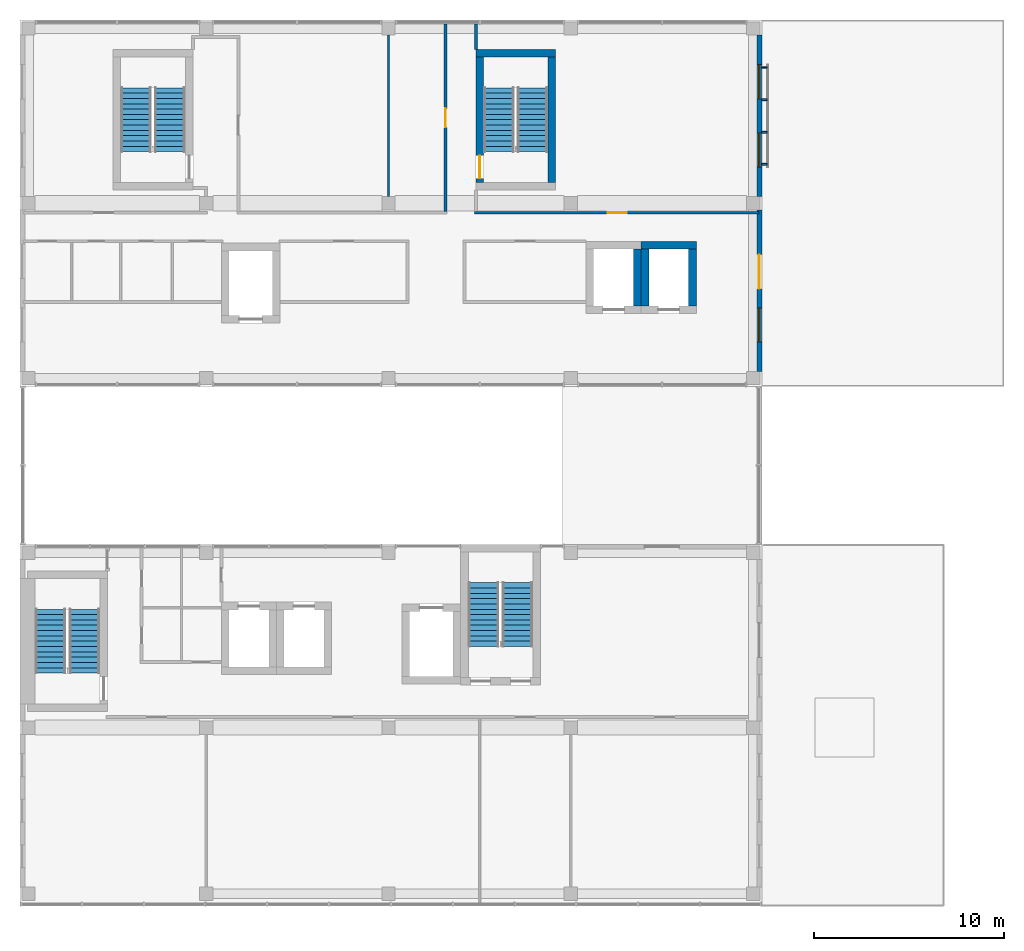
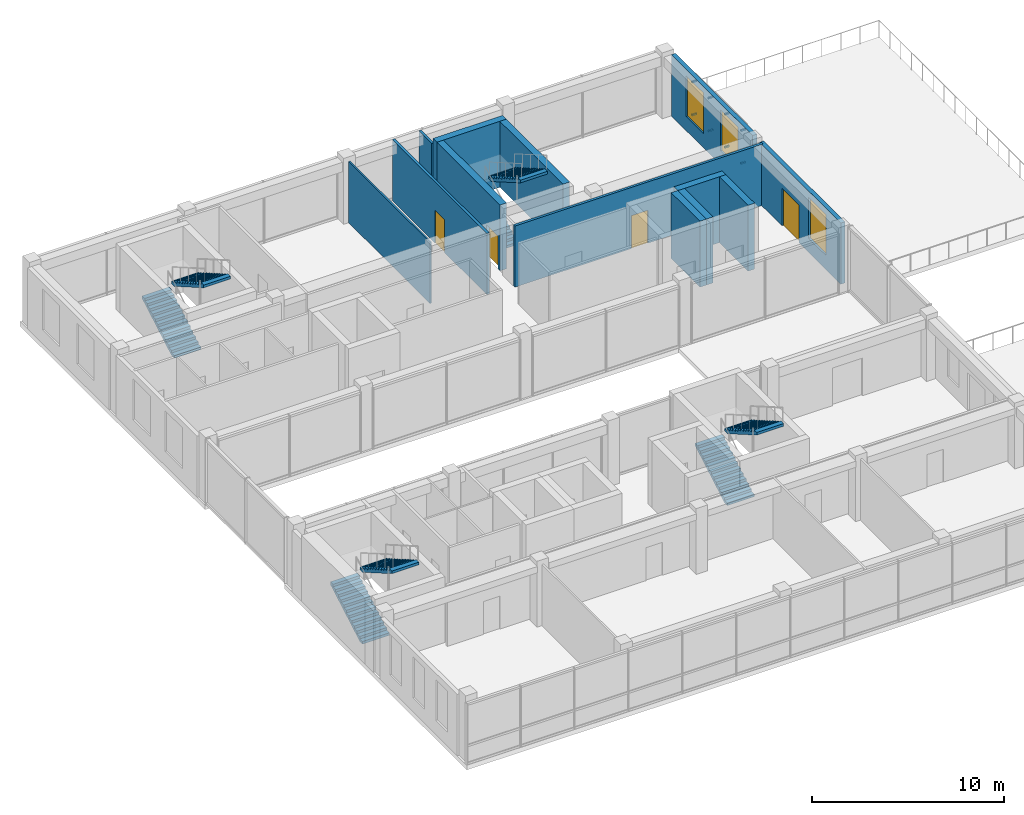
# One storey, part 21 of 27: 13 walls, 8 discrete accessories, 8 stair flights, 4 doors, 3 windows, 7 openings, 4 elements without a shape of their own.
"""IFC4 building model written with IfcOpenShell, lengths in metres."""

import ifcopenshell
import ifcopenshell.guid

model = None  # the IFC model being written
_history = None  # IfcOwnerHistory: only IFC2X3 demands one
_inside = {}  # id of a spatial element -> (the spatial element, [elements in it])
_under = {}  # id of a project, library or spatial element -> (it, [spatial elements below it])
_declared = {}  # id of a project -> (the project, [libraries it declares])
_typed = {}  # id of a type object -> (the type object, [elements of that type])
_made_of = {}  # id of a material, layer set ... -> (it, [elements and type objects made of it])


def new_model(schema):
    """Start an empty IFC model of exactly this schema.

    Asked for "IFC4X3", IfcOpenShell would pick the latest addendum, in which some entities
    have other attributes; the version numbers below select the first issue.
    IFC2X3 requires an IfcOwnerHistory on every rooted entity: one is made here for all.
    """
    global model, _history
    if schema == "IFC4X3":
        model = ifcopenshell.file(schema_version=(4, 3, 0, 0))
    else:
        model = ifcopenshell.file(schema=schema)
    _inside.clear()
    _under.clear()
    _declared.clear()
    _typed.clear()
    _made_of.clear()
    _history = None
    if model.schema == "IFC2X3":
        org = make("IfcOrganization", Name="unknown")
        user = make(
            "IfcPersonAndOrganization",
            ThePerson=make("IfcPerson", FamilyName="unknown"),
            TheOrganization=org,
        )
        app = make(
            "IfcApplication",
            ApplicationDeveloper=org,
            Version="unknown",
            ApplicationFullName="unknown",
            ApplicationIdentifier="unknown",
        )
        _history = make(
            "IfcOwnerHistory",
            OwningUser=user,
            OwningApplication=app,
            ChangeAction="ADDED",
            CreationDate=0,
        )
    return model


def make(cls, **values):
    """One entity of the class cls with the attributes given. An attribute that is None is left unset."""
    return model.create_entity(
        cls, **{name: value for name, value in values.items() if value is not None}
    )


def rooted(cls, **values):
    """An entity with a GlobalId (a new one), such as an element, a storey or a relation."""
    return make(cls, GlobalId=ifcopenshell.guid.new(), OwnerHistory=_history, **values)


def si_unit(unit_type, name, prefix=None):
    """IfcSIUnit, for example si_unit("LENGTHUNIT", "METRE", prefix="MILLI")."""
    return make("IfcSIUnit", UnitType=unit_type, Prefix=prefix, Name=name)


def assignment(units):
    """IfcUnitAssignment: the units of a project."""
    return None if units is None else make("IfcUnitAssignment", Units=units)


def point(xyz):
    """IfcCartesianPoint."""
    return None if xyz is None else make("IfcCartesianPoint", Coordinates=xyz)


def direction(xyz):
    """IfcDirection."""
    return None if xyz is None else make("IfcDirection", DirectionRatios=xyz)


def frame(location, z_axis=None, x_axis=None):
    """IfcAxis2Placement3D, a coordinate frame: its origin and axes. An axis left out is left unset."""
    return make(
        "IfcAxis2Placement3D",
        Location=point(location),
        Axis=direction(z_axis),
        RefDirection=direction(x_axis),
    )


def frame_2d(location, x_axis=None):
    """IfcAxis2Placement2D, a coordinate frame in the plane: its origin and x axis."""
    return make(
        "IfcAxis2Placement2D", Location=point(location), RefDirection=direction(x_axis)
    )


def origin():
    """The frame at (0, 0, 0) with its axes left unset."""
    return frame((0.0, 0.0, 0.0))


def origin_2d():
    """The frame at (0, 0) in the plane with its x axis left unset."""
    return frame_2d((0.0, 0.0))


def place(relative_to, where):
    """IfcLocalPlacement: puts the frame where relative to a parent placement (None: the world)."""
    return make(
        "IfcLocalPlacement", PlacementRelTo=relative_to, RelativePlacement=where
    )


def context(
    kind, dimensions, precision=None, world=None, true_north=None, identifier=None
):
    """IfcGeometricRepresentationContext, for example the 3D "Model" context."""
    return make(
        "IfcGeometricRepresentationContext",
        ContextIdentifier=identifier,
        ContextType=kind,
        CoordinateSpaceDimension=dimensions,
        Precision=precision,
        WorldCoordinateSystem=world,
        TrueNorth=true_north,
    )


def subcontext(parent, identifier, kind, view, scale=None):
    """IfcGeometricRepresentationSubContext, for example "Body" below "Model"."""
    return make(
        "IfcGeometricRepresentationSubContext",
        ContextIdentifier=identifier,
        ContextType=kind,
        ParentContext=parent,
        TargetScale=scale,
        TargetView=view,
    )


def project(units=None, contexts=None):
    """IfcProject with its units and contexts."""
    return rooted(
        "IfcProject",
        Name="project",
        RepresentationContexts=contexts,
        UnitsInContext=assignment(units),
    )


def spatial(cls, under=None, at=None, **own):
    """A site, building, storey or space (cls), placed at a placement, below another one or the project."""
    s = rooted(cls, ObjectPlacement=at, **own)
    if under is not None:
        _under.setdefault(under.id(), (under, []))[1].append(s)
    return s


def polyline(points):
    """IfcPolyline through the points."""
    return make("IfcPolyline", Points=[point(p) for p in points])


def profile(cls, at=None, kind="AREA", **sizes):
    """A parametric profile (cls). Its sizes go by their IFC names, for example OverallWidth=200.0."""
    return make(cls, ProfileType=kind, Position=at, **sizes)


def rectangle(**sizes):
    """IfcRectangleProfileDef."""
    return profile("IfcRectangleProfileDef", **sizes)


def outline(outer, holes=None, kind="AREA"):
    """IfcArbitraryClosedProfileDef: a profile drawn as a closed curve; with holes, ...WithVoids."""
    if holes is None:
        return make("IfcArbitraryClosedProfileDef", ProfileType=kind, OuterCurve=outer)
    return make(
        "IfcArbitraryProfileDefWithVoids",
        ProfileType=kind,
        OuterCurve=outer,
        InnerCurves=holes,
    )


def extrude(swept, where, along, depth):
    """IfcExtrudedAreaSolid: the profile swept, set in the frame where, extruded along a direction by depth."""
    return make(
        "IfcExtrudedAreaSolid",
        SweptArea=swept,
        Position=where,
        ExtrudedDirection=direction(along),
        Depth=depth,
    )


def shape(context_of_items, identifier, shape_type, items):
    """IfcShapeRepresentation: the items that make up one representation, for example the "Body"."""
    return make(
        "IfcShapeRepresentation",
        ContextOfItems=context_of_items,
        RepresentationIdentifier=identifier,
        RepresentationType=shape_type,
        Items=items,
    )


def material(Name=None, Category=None):
    """IfcMaterial."""
    return make("IfcMaterial", Name=Name, Category=Category)


def layer(
    of_material, thickness, ventilated=None, Name=None, Category=None, Priority=None
):
    """IfcMaterialLayer: one layer of a wall or slab, of a material (None: an air gap)."""
    return make(
        "IfcMaterialLayer",
        Material=of_material,
        LayerThickness=thickness,
        IsVentilated=ventilated,
        Name=Name,
        Category=Category,
        Priority=Priority,
    )


def layer_set(layers, Name=None):
    """IfcMaterialLayerSet."""
    return make("IfcMaterialLayerSet", MaterialLayers=layers, LayerSetName=Name)


def layer_usage(for_layer_set, set_direction, sense, offset, extent=None):
    """IfcMaterialLayerSetUsage: how a layer set lies in its element."""
    return make(
        "IfcMaterialLayerSetUsage",
        ForLayerSet=for_layer_set,
        LayerSetDirection=set_direction,
        DirectionSense=sense,
        OffsetFromReferenceLine=offset,
        ReferenceExtent=extent,
    )


def made_of(thing, what):
    """Note that an element or type object is made of a material, layer set ...; save() writes the relation."""
    if what is not None:
        _made_of.setdefault(what.id(), (what, []))[1].append(thing)
    return thing


def type_object(cls, material=None, **own):
    """A type object (cls), such as IfcWallType, which elements share."""
    return made_of(rooted(cls, **own), material)


def element(
    cls,
    number,
    at=None,
    inside=None,
    cuts=None,
    type_object=None,
    material=None,
    context=None,
    identifier="Body",
    shape_type=None,
    held_by="IfcProductDefinitionShape",
    body=None,
    shapes=None,
    **own,
):
    """One element of the class cls, such as IfcWall. Its Tag is "e" and its number.

    at: its placement. inside: the storey or other place that contains it. cuts: it is an
    opening in that element (IfcRelVoidsElement). A single representation is given by context,
    identifier, shape_type and body (its items); several are given by shapes. held_by: the class
    of the entity that holds the representations. save() writes the other relations.
    """
    e = rooted(cls, Tag="e%d" % number, ObjectPlacement=at, **own)
    if body is not None:
        shapes = [shape(context, identifier, shape_type, body)]
    if shapes is not None:
        e.Representation = make(held_by, Representations=shapes)
    if inside is not None:
        _inside.setdefault(inside.id(), (inside, []))[1].append(e)
    if cuts is not None:
        rooted(
            "IfcRelVoidsElement", RelatingBuildingElement=cuts, RelatedOpeningElement=e
        )
    if type_object is not None:
        _typed.setdefault(type_object.id(), (type_object, []))[1].append(e)
    return made_of(e, material)


def fill(opening, filler):
    """IfcRelFillsElement: the door or window that sits in an opening."""
    return rooted(
        "IfcRelFillsElement",
        RelatingOpeningElement=opening,
        RelatedBuildingElement=filler,
    )


def aggregate(whole, parts):
    """IfcRelAggregates: a whole, such as a stair, and the parts it consists of."""
    return rooted("IfcRelAggregates", RelatingObject=whole, RelatedObjects=parts)


def save(model, path):
    """Write the relations noted so far, then the file.

    IfcRelAggregates (storeys below a building ...), IfcRelContainedInSpatialStructure (elements
    in a storey), IfcRelDefinesByType, IfcRelAssociatesMaterial and IfcRelDeclares: one each for
    every whole, place, type object, material and project.
    """
    for whole, parts in _under.values():
        aggregate(whole, parts)
    for where, things in _inside.values():
        rooted(
            "IfcRelContainedInSpatialStructure",
            RelatedElements=things,
            RelatingStructure=where,
        )
    for kind, things in _typed.values():
        rooted("IfcRelDefinesByType", RelatedObjects=things, RelatingType=kind)
    for what, things in _made_of.values():
        rooted("IfcRelAssociatesMaterial", RelatedObjects=things, RelatingMaterial=what)
    for by, libraries in _declared.values():
        rooted("IfcRelDeclares", RelatingContext=by, RelatedDefinitions=libraries)
    model.write(path)


model = new_model("IFC4")

# Units and contexts
model_context = context("Model", 3, precision=1e-05, world=origin(), true_north=direction((0.0, 1.0)))
body_context = subcontext(model_context, "Body", "Model", "MODEL_VIEW")
ifc_project = project(units=[si_unit("LENGTHUNIT", "METRE"), si_unit("AREAUNIT", "SQUARE_METRE"), si_unit("VOLUMEUNIT", "CUBIC_METRE"), si_unit("PLANEANGLEUNIT", "RADIAN"), si_unit("MASSUNIT", "GRAM", prefix="KILO")], contexts=[model_context])

# Site, building, storey
site_placement = place(None, origin())
site = spatial("IfcSite", under=ifc_project, at=site_placement, CompositionType="ELEMENT")
building_placement = place(site_placement, origin())
building = spatial("IfcBuilding", under=site, at=building_placement, Name="Nzadi Deep Aquarium and Research Tower", CompositionType="ELEMENT")
storey_placement = place(building_placement, frame((0.0, 0.0, 69.699951171875)))
storey = spatial("IfcBuildingStorey", under=building, at=storey_placement, Name="L14", CompositionType="ELEMENT", Elevation=69.699951171875)

# Wall, openings, windows
ifc_material_1 = material(Name="Concrete C35/45", Category="concrete")
ifc_layer_1 = layer(ifc_material_1, 0.14990234375, Category="cladding")
ifc_material_2 = material(Name="Mineral wool insulation")
ifc_layer_2 = layer(ifc_material_2, 0.070068359375, Category="insulation")
ifc_material_3 = material(Name="Gypsum board lining")
ifc_layer_3 = layer(ifc_material_3, 0.030029296875, Category="lining")
ifc_layer_set_1 = layer_set([ifc_layer_1, ifc_layer_2, ifc_layer_3], Name="Concrete C35/45, Mineral wool insulation, Gypsum board lining")
ifc_layer_usage_1 = layer_usage(ifc_layer_set_1, "AXIS2", "POSITIVE", -0.125)
wall_type_1 = type_object("IfcWallType", Name="End wall board-formed concrete 250", PredefinedType="ELEMENTEDWALL", material=ifc_layer_set_1)
wall_1_placement = place(storey_placement, frame((38.72509765625, 37.14990234375, 0.0), z_axis=(0.0, 0.0, 1.0), x_axis=(0.0, 1.0, 0.0)))
wall_1 = element("IfcWall", 1, at=wall_1_placement, inside=storey, type_object=wall_type_1, material=ifc_layer_usage_1, Name="End wall blade B east L14", PredefinedType="ELEMENTEDWALL", context=body_context, shape_type="SweptSolid", body=[
    extrude(rectangle(XDim=8.5, YDim=0.25, at=frame_2d((4.25, 0.0))), origin(), (0.0, 0.0, 1.0), 3.900146484375),
])
opening_1_placement = place(wall_1_placement, frame((1.550048828125, 0.0, 0.89990234375)))
opening_1 = element("IfcOpeningElement", 2, at=opening_1_placement, cuts=wall_1, Name="Opening WN01", PredefinedType="OPENING", context=body_context, shape_type="SweptSolid", body=[
    extrude(rectangle(XDim=1.800048828125, YDim=2.60009765625, at=frame_2d((0.89990234375, 1.300048828125))), frame((0.0, 0.135009765625, 0.0), z_axis=(0.0, -1.0, 0.0), x_axis=(1.0, 0.0, 0.0)), (0.0, 0.0, 1.0), 0.27001953125),
])
opening_2_placement = place(wall_1_placement, frame((5.14990234375, 0.0, 0.89990234375)))
opening_2 = element("IfcOpeningElement", 3, at=opening_2_placement, cuts=wall_1, Name="Opening WN01", PredefinedType="OPENING", context=body_context, shape_type="SweptSolid", body=[
    extrude(rectangle(XDim=1.800048828125, YDim=2.60009765625, at=frame_2d((0.89990234375, 1.300048828125))), frame((0.0, 0.135009765625, 0.0), z_axis=(0.0, -1.0, 0.0), x_axis=(1.0, 0.0, 0.0)), (0.0, 0.0, 1.0), 0.27001953125),
])
ifc_material_4 = material(Name="Aluminium window, sage tint glazing", Category="aluminium")
window_type = type_object("IfcWindowType", Name="Slot window 1800x2600 sill 900", PartitioningType="SINGLE_PANEL", PredefinedType="WINDOW", material=ifc_material_4)
window_1_placement = place(opening_1_placement, origin())
window_1 = element("IfcWindow", 4, at=window_1_placement, inside=storey, type_object=window_type, Name="Slot window L14 BE", OverallHeight=2.60009765625, OverallWidth=1.800048828125, PartitioningType="SINGLE_PANEL", PredefinedType="WINDOW", context=body_context, shape_type="SweptSolid", body=[
    extrude(rectangle(XDim=1.800048828125, YDim=2.60009765625, at=frame_2d((0.89990234375, 1.300048828125))), frame((0.0, 0.030029296875, 0.0), z_axis=(0.0, -1.0, 0.0), x_axis=(1.0, 0.0, 0.0)), (0.0, 0.0, 1.0), 0.06005859375),
])
fill(opening_1, window_1)
window_2_placement = place(opening_2_placement, origin())
window_2 = element("IfcWindow", 5, at=window_2_placement, inside=storey, type_object=window_type, Name="Slot window L14 BE", OverallHeight=2.60009765625, OverallWidth=1.800048828125, PartitioningType="SINGLE_PANEL", PredefinedType="WINDOW", context=body_context, shape_type="SweptSolid", body=[
    extrude(rectangle(XDim=1.800048828125, YDim=2.60009765625, at=frame_2d((0.89990234375, 1.300048828125))), frame((0.0, 0.030029296875, 0.0), z_axis=(0.0, -1.0, 0.0), x_axis=(1.0, 0.0, 0.0)), (0.0, 0.0, 1.0), 0.06005859375),
])
fill(opening_2, window_2)

# Wall, openings, window, door
ifc_material_5 = material(Name="Graphite aluminium shingle", Category="aluminium")
ifc_layer_4 = layer(ifc_material_5, 0.050048828125, Category="cladding")
ifc_layer_5 = layer(ifc_material_1, 0.10009765625, Category="cladding")
ifc_layer_6 = layer(ifc_material_2, 0.070068359375, Category="insulation")
ifc_layer_7 = layer(ifc_material_3, 0.030029296875, Category="lining")
ifc_layer_set_2 = layer_set([ifc_layer_4, ifc_layer_5, ifc_layer_6, ifc_layer_7], Name="Graphite aluminium shingle, Concrete C35/45, Mineral wool insulation, Gypsum board lining")
ifc_layer_usage_2 = layer_usage(ifc_layer_set_2, "AXIS2", "POSITIVE", -0.125)
wall_type_2 = type_object("IfcWallType", Name="End wall shingle over board-formed concrete 250", PredefinedType="ELEMENTEDWALL", material=ifc_layer_set_2)
wall_2_placement = place(storey_placement, frame((38.72509765625, 27.949951171875, 0.0), z_axis=(0.0, 0.0, 1.0), x_axis=(0.0, 1.0, 0.0)))
wall_2 = element("IfcWall", 6, at=wall_2_placement, inside=storey, type_object=wall_type_2, material=ifc_layer_usage_2, Name="End wall blade B east L14", PredefinedType="ELEMENTEDWALL", context=body_context, shape_type="SweptSolid", body=[
    extrude(rectangle(XDim=8.5, YDim=0.25, at=frame_2d((4.25, 0.0))), origin(), (0.0, 0.0, 1.0), 3.900146484375),
])
opening_3_placement = place(wall_2_placement, frame((4.35009765625, 0.0, 0.0)))
opening_3 = element("IfcOpeningElement", 7, at=opening_3_placement, cuts=wall_2, Name="Opening DE006", PredefinedType="OPENING", context=body_context, shape_type="SweptSolid", body=[
    extrude(rectangle(XDim=1.800048828125, YDim=2.39990234375, at=frame_2d((0.89990234375, 1.199951171875))), frame((0.0, 0.135009765625, 0.0), z_axis=(0.0, -1.0, 0.0), x_axis=(1.0, 0.0, 0.0)), (0.0, 0.0, 1.0), 0.27001953125),
])
opening_4_placement = place(wall_2_placement, frame((1.550048828125, 0.0, 0.89990234375)))
opening_4 = element("IfcOpeningElement", 8, at=opening_4_placement, cuts=wall_2, Name="Opening WN01", PredefinedType="OPENING", context=body_context, shape_type="SweptSolid", body=[
    extrude(rectangle(XDim=1.800048828125, YDim=2.60009765625, at=frame_2d((0.89990234375, 1.300048828125))), frame((0.0, 0.135009765625, 0.0), z_axis=(0.0, -1.0, 0.0), x_axis=(1.0, 0.0, 0.0)), (0.0, 0.0, 1.0), 0.27001953125),
])
window_3_placement = place(opening_4_placement, origin())
window_3 = element("IfcWindow", 9, at=window_3_placement, inside=storey, type_object=window_type, Name="Slot window L14 BE", OverallHeight=2.60009765625, OverallWidth=1.800048828125, PartitioningType="SINGLE_PANEL", PredefinedType="WINDOW", context=body_context, shape_type="SweptSolid", body=[
    extrude(rectangle(XDim=1.800048828125, YDim=2.60009765625, at=frame_2d((0.89990234375, 1.300048828125))), frame((0.0, 0.030029296875, 0.0), z_axis=(0.0, -1.0, 0.0), x_axis=(1.0, 0.0, 0.0)), (0.0, 0.0, 1.0), 0.06005859375),
])
fill(opening_4, window_3)
ifc_material_6 = material(Name="Aluminium framed glazing", Category="aluminium")
door_type_1 = type_object("IfcDoorType", Name="Terrace double door 1800x2400", OperationType="DOUBLE_DOOR_SINGLE_SWING", PredefinedType="DOOR", material=ifc_material_6)
door_1_placement = place(opening_3_placement, frame((1.800048828125, 0.0, 0.0), z_axis=(0.0, 0.0, 1.0), x_axis=(-1.0, 0.0, 0.0)))
door_1 = element("IfcDoor", 10, at=door_1_placement, inside=storey, type_object=door_type_1, Name="Terrace door L14", OperationType="DOUBLE_DOOR_SINGLE_SWING", OverallHeight=2.39990234375, OverallWidth=1.800048828125, PredefinedType="DOOR", context=body_context, shape_type="SweptSolid", body=[
    extrude(rectangle(XDim=1.800048828125, YDim=2.39990234375, at=frame_2d((0.89990234375, 1.199951171875))), frame((0.0, 0.02490234375, 0.0), z_axis=(0.0, -1.0, 0.0), x_axis=(1.0, 0.0, 0.0)), (0.0, 0.0, 1.0), 0.050048828125),
])
fill(opening_3, door_1)

# Wall
ifc_material_7 = material(Name="Blockwork masonry", Category="masonry")
ifc_layer_8 = layer(ifc_material_7, 0.10009765625)
ifc_layer_set_3 = layer_set([ifc_layer_8], Name="Blockwork masonry")
wall_type_3 = type_object("IfcWallType", Name="Partition 100 EI 30", PredefinedType="PARTITIONING", material=ifc_layer_set_3)
wall_3_placement = place(storey_placement, frame((19.199951171875, 37.14990234375, 0.0), z_axis=(0.0, 0.0, 1.0), x_axis=(0.0, 1.0, 0.0)))
element("IfcWall", 11, at=wall_3_placement, inside=storey, type_object=wall_type_3, Name="W-Z1-L14-P024", PredefinedType="PARTITIONING", context=body_context, shape_type="SweptSolid", body=[
    extrude(rectangle(XDim=8.5, YDim=0.10009765625, at=frame_2d((4.25, 0.0))), origin(), (0.0, 0.0, 1.0), 3.900146484375),
])

# Wall, opening, door
ifc_material_8 = material(Name="Blockwork masonry", Category="masonry")
ifc_layer_9 = layer(ifc_material_8, 0.14990234375)
ifc_layer_set_4 = layer_set([ifc_layer_9], Name="Blockwork masonry")
wall_type_4 = type_object("IfcWallType", Name="Partition 150 EI 60", PredefinedType="PARTITIONING", material=ifc_layer_set_4)
wall_4_placement = place(storey_placement, frame((22.199951171875, 36.375, 0.0), z_axis=(0.0, 0.0, 1.0), x_axis=(0.0, 1.0, 0.0)))
wall_4 = element("IfcWall", 12, at=wall_4_placement, inside=storey, type_object=wall_type_4, Name="W-Z1-L14-P026", PredefinedType="PARTITIONING", context=body_context, shape_type="SweptSolid", body=[
    extrude(rectangle(XDim=9.868896484375, YDim=0.14990234375, at=frame_2d((4.9345703125, 0.0))), origin(), (0.0, 0.0, 1.0), 3.900146484375),
])
opening_5_placement = place(wall_4_placement, frame((4.425048828125, 0.0, 0.0)))
opening_5 = element("IfcOpeningElement", 13, at=opening_5_placement, cuts=wall_4, Name="Opening D151018", PredefinedType="OPENING", context=body_context, shape_type="SweptSolid", body=[
    extrude(rectangle(XDim=1.0, YDim=2.10009765625, at=frame_2d((0.5, 1.050048828125))), frame((0.0, 0.0849609375, 0.0), z_axis=(0.0, -1.0, 0.0), x_axis=(1.0, 0.0, 0.0)), (0.0, 0.0, 1.0), 0.169921875),
])
ifc_material_9 = material(Name="Fire-rated steel door", Category="steel")
ifc_layer_10 = layer(ifc_material_9, 0.050048828125)
ifc_layer_set_5 = layer_set([ifc_layer_10], Name="Fire-rated steel door")
door_type_2 = type_object("IfcDoorType", Name="Door 1000x2100 EI 60 single", OperationType="SINGLE_SWING_LEFT", PredefinedType="DOOR", material=ifc_layer_set_5)
door_2_placement = place(opening_5_placement, origin())
door_2 = element("IfcDoor", 14, at=door_2_placement, inside=storey, type_object=door_type_2, Name="D151018", OperationType="SINGLE_SWING_RIGHT", OverallHeight=2.10009765625, OverallWidth=1.0, PredefinedType="DOOR", context=body_context, shape_type="SweptSolid", body=[
    extrude(rectangle(XDim=1.0, YDim=2.10009765625, at=frame_2d((0.5, 1.050048828125))), frame((0.0, 0.02490234375, 0.0), z_axis=(0.0, -1.0, 0.0), x_axis=(1.0, 0.0, 0.0)), (0.0, 0.0, 1.0), 0.050048828125),
])
fill(opening_5, door_2)

wall_5_placement = place(storey_placement, frame((23.72509765625, 36.300048828125, 0.0), z_axis=(0.0, 0.0, 1.0), x_axis=(1.0, 0.0, 0.0)))
wall_5 = element("IfcWall", 15, at=wall_5_placement, inside=storey, type_object=wall_type_4, Name="W-Z1-L14-P030", PredefinedType="PARTITIONING", context=body_context, shape_type="SweptSolid", body=[
    extrude(rectangle(XDim=14.968994140625, YDim=0.14990234375, at=frame_2d((7.484375, 0.0))), origin(), (0.0, 0.0, 1.0), 3.900146484375),
])
opening_6_placement = place(wall_5_placement, frame((7.02490234375, 0.0, 0.0)))
opening_6 = element("IfcOpeningElement", 16, at=opening_6_placement, cuts=wall_5, Name="Opening D151019", PredefinedType="OPENING", context=body_context, shape_type="SweptSolid", body=[
    extrude(rectangle(XDim=1.0, YDim=2.10009765625, at=frame_2d((0.5, 1.050048828125))), frame((0.0, 0.0849609375, 0.0), z_axis=(0.0, -1.0, 0.0), x_axis=(1.0, 0.0, 0.0)), (0.0, 0.0, 1.0), 0.169921875),
])
door_3_placement = place(opening_6_placement, origin())
door_3 = element("IfcDoor", 17, at=door_3_placement, inside=storey, type_object=door_type_2, Name="D151019", OperationType="SINGLE_SWING_RIGHT", OverallHeight=2.10009765625, OverallWidth=1.0, PredefinedType="DOOR", context=body_context, shape_type="SweptSolid", body=[
    extrude(rectangle(XDim=1.0, YDim=2.10009765625, at=frame_2d((0.5, 1.050048828125))), frame((0.0, 0.02490234375, 0.0), z_axis=(0.0, -1.0, 0.0), x_axis=(1.0, 0.0, 0.0)), (0.0, 0.0, 1.0), 0.050048828125),
])
fill(opening_6, door_3)

# Walls
wall_6_placement = place(storey_placement, frame((23.800048828125, 44.906005859375, 0.0), z_axis=(0.0, 0.0, 1.0), x_axis=(0.0, 1.0, 0.0)))
element("IfcWall", 18, at=wall_6_placement, inside=storey, type_object=wall_type_4, Name="W-Z1-L14-P032", PredefinedType="PARTITIONING", context=body_context, shape_type="SweptSolid", body=[
    extrude(rectangle(XDim=1.337890625, YDim=0.14990234375, at=frame_2d((0.6689453125, 0.0))), origin(), (0.0, 0.0, 1.0), 3.900146484375),
])
ifc_material_10 = material(Name="Concrete C35/45", Category="concrete")
ifc_layer_11 = layer(ifc_material_10, 0.39990234375)
ifc_layer_set_6 = layer_set([ifc_layer_11], Name="Concrete C35/45")
wall_type_5 = type_object("IfcWallType", Name="RC core wall 400", PredefinedType="SHEAR", material=ifc_layer_set_6)
wall_7_placement = place(storey_placement, frame((23.800048828125, 44.699951171875, 0.0), z_axis=(0.0, 0.0, 1.0), x_axis=(1.0, 0.0, 0.0)))
element("IfcWall", 19, at=wall_7_placement, inside=storey, type_object=wall_type_5, Name="W-CORE-ST-Z1-NE-L14-N", PredefinedType="SHEAR", context=body_context, shape_type="SweptSolid", body=[
    extrude(rectangle(XDim=4.199951171875, YDim=0.39990234375, at=frame_2d((2.10009765625, 0.0))), origin(), (0.0, 0.0, 1.0), 4.199951171875),
])

# Wall, opening, door
wall_8_placement = place(storey_placement, frame((24.0, 37.89990234375, 0.0), z_axis=(0.0, 0.0, 1.0), x_axis=(0.0, 1.0, 0.0)))
wall_8 = element("IfcWall", 20, at=wall_8_placement, inside=storey, type_object=wall_type_5, Name="W-CORE-ST-Z1-NE-L14-W", PredefinedType="SHEAR", context=body_context, shape_type="SweptSolid", body=[
    extrude(rectangle(XDim=6.60009765625, YDim=0.39990234375, at=frame_2d((3.300048828125, 0.0))), origin(), (0.0, 0.0, 1.0), 4.199951171875),
])
opening_7_placement = place(wall_8_placement, frame((0.2099609375, 0.0, 0.0)))
opening_7 = element("IfcOpeningElement", 21, at=opening_7_placement, cuts=wall_8, Name="Opening DS-Z1-NE-L14", PredefinedType="OPENING", context=body_context, shape_type="SweptSolid", body=[
    extrude(rectangle(XDim=1.199951171875, YDim=2.10009765625, at=frame_2d((0.60009765625, 1.050048828125))), frame((0.0, 0.2099609375, 0.0), z_axis=(0.0, -1.0, 0.0), x_axis=(1.0, 0.0, 0.0)), (0.0, 0.0, 1.0), 0.419921875),
])
ifc_material_11 = material(Name="Steel, powder coated", Category="steel")
door_type_3 = type_object("IfcDoorType", Name="STAIR DOOR 1200x2100 EI 60", OperationType="SINGLE_SWING_LEFT", PredefinedType="DOOR", material=ifc_material_11)
door_4_placement = place(opening_7_placement, origin())
door_4 = element("IfcDoor", 22, at=door_4_placement, inside=storey, type_object=door_type_3, Name="Stair door ST-Z1-NE L14", OperationType="SINGLE_SWING_LEFT", OverallHeight=2.10009765625, OverallWidth=1.199951171875, PredefinedType="DOOR", context=body_context, shape_type="SweptSolid", body=[
    extrude(rectangle(XDim=1.199951171875, YDim=2.10009765625, at=frame_2d((0.60009765625, 1.050048828125))), frame((0.0, 0.02490234375, 0.0), z_axis=(0.0, -1.0, 0.0), x_axis=(1.0, 0.0, 0.0)), (0.0, 0.0, 1.0), 0.050048828125),
])
fill(opening_7, door_4)

# Walls
wall_9_placement = place(storey_placement, frame((27.800048828125, 37.89990234375, 0.0), z_axis=(0.0, 0.0, 1.0), x_axis=(0.0, 1.0, 0.0)))
element("IfcWall", 23, at=wall_9_placement, inside=storey, type_object=wall_type_5, Name="W-CORE-ST-Z1-NE-L14-E", PredefinedType="SHEAR", context=body_context, shape_type="SweptSolid", body=[
    extrude(rectangle(XDim=6.60009765625, YDim=0.39990234375, at=frame_2d((3.300048828125, 0.0))), origin(), (0.0, 0.0, 1.0), 4.199951171875),
])
wall_10_placement = place(storey_placement, frame((32.300048828125, 31.39990234375, 0.0), z_axis=(0.0, 0.0, 1.0), x_axis=(0.0, 1.0, 0.0)))
element("IfcWall", 24, at=wall_10_placement, inside=storey, type_object=wall_type_5, Name="W-CORE-TL3-L14-E", PredefinedType="SHEAR", context=body_context, shape_type="SweptSolid", body=[
    extrude(rectangle(XDim=3.0, YDim=0.39990234375, at=frame_2d((1.5, 0.0))), origin(), (0.0, 0.0, 1.0), 4.199951171875),
])
wall_11_placement = place(storey_placement, frame((32.5, 34.60009765625, 0.0), z_axis=(0.0, 0.0, 1.0), x_axis=(1.0, 0.0, 0.0)))
element("IfcWall", 25, at=wall_11_placement, inside=storey, type_object=wall_type_5, Name="W-CORE-TL4-L14-N", PredefinedType="SHEAR", context=body_context, shape_type="SweptSolid", body=[
    extrude(rectangle(XDim=2.89990234375, YDim=0.39990234375, at=frame_2d((1.449951171875, 0.0))), origin(), (0.0, 0.0, 1.0), 4.199951171875),
])
for number, where, z_axis, x_axis, name in (
    (26, (32.699951171875, 31.39990234375, 0.0), (0.0, 0.0, 1.0), (0.0, 1.0, 0.0), "W-CORE-TL4-L14-W"),
    (27, (35.199951171875, 31.39990234375, 0.0), (0.0, 0.0, 1.0), (0.0, 1.0, 0.0), "W-CORE-TL4-L14-E"),
):
    element("IfcWall", number, at=place(storey_placement, frame(where, z_axis=z_axis, x_axis=x_axis)), inside=storey, type_object=wall_type_5, Name=name, PredefinedType="SHEAR", context=body_context, shape_type="SweptSolid", body=[
        extrude(rectangle(XDim=3.0, YDim=0.39990234375, at=frame_2d((1.5, 0.0))), origin(), (0.0, 0.0, 1.0), 4.199951171875),
    ])

# Stair, stair flights
ifc_material_12 = material(Name="Concrete C35/45", Category="concrete")
stair_type = type_object("IfcStairType", Name="STAIR RETURN 3000", PredefinedType="NOTDEFINED", material=ifc_material_12)
stair_1_placement = place(storey_placement, origin())
stair_1 = element("IfcStair", 28, at=stair_1_placement, inside=storey, type_object=stair_type, Name="Stair ST-Z1-SW L14", PredefinedType="HALF_TURN_STAIR")
ifc_material_13 = material(Name="Concrete C35/45", Category="concrete")
stair_flight_type = type_object("IfcStairFlightType", Name="FLIGHT 1625 13 RISERS 161.5 GOING 280", PredefinedType="STRAIGHT", material=ifc_material_13)
stair_flight_1_placement = place(storey_placement, frame((1.41259765625, 12.070068359375, 0.0), z_axis=(0.0, 0.0, 1.0), x_axis=(0.0, 1.0, 0.0)))
stair_flight_1 = element("IfcStairFlight", 29, at=stair_flight_1_placement, type_object=stair_flight_type, Name="ST-Z1-SW flight 1", NumberOfRisers=13, NumberOfTreads=12, PredefinedType="STRAIGHT", RiserHeight=0.161538462, TreadLength=0.28, context=body_context, shape_type="SweptSolid", body=[
    extrude(outline(polyline([(0.0, 0.0), (0.0, 0.16162109375), (0.280029296875, 0.16162109375), (0.280029296875, 0.322998046875), (0.56005859375, 0.322998046875), (0.56005859375, 0.484619140625), (0.840087890625, 0.484619140625), (0.840087890625, 0.646240234375), (1.1201171875, 0.646240234375), (1.1201171875, 0.8076171875), (1.39990234375, 0.8076171875), (1.39990234375, 0.96923828125), (1.679931640625, 0.96923828125), (1.679931640625, 1.130859375), (1.9599609375, 1.130859375), (1.9599609375, 1.292236328125), (2.239990234375, 1.292236328125), (2.239990234375, 1.453857421875), (2.52001953125, 1.453857421875), (2.52001953125, 1.615478515625), (2.800048828125, 1.615478515625), (2.800048828125, 1.77685546875), (3.080078125, 1.77685546875), (3.080078125, 1.9384765625), (3.360107421875, 1.9384765625), (3.360107421875, 2.10009765625), (3.360107421875, 1.765380859375), (0.300048828125, 0.0), (0.0, 0.0)])), frame((0.0, 0.8125, 0.0), z_axis=(0.0, -1.0, 0.0), x_axis=(1.0, 0.0, 0.0)), (0.0, 0.0, 1.0), 1.625),
])
stair_flight_2_placement = place(storey_placement, frame((3.1875, 15.429931640625, 2.10009765625), z_axis=(0.0, 0.0, 1.0), x_axis=(0.0, -1.0, 0.0)))
stair_flight_2 = element("IfcStairFlight", 30, at=stair_flight_2_placement, type_object=stair_flight_type, Name="ST-Z1-SW flight 2", NumberOfRisers=13, NumberOfTreads=12, PredefinedType="STRAIGHT", RiserHeight=0.161538462, TreadLength=0.28, context=body_context, shape_type="SweptSolid", body=[
    extrude(outline(polyline([(0.0, 0.0), (0.0, 0.16162109375), (0.280029296875, 0.16162109375), (0.280029296875, 0.322998046875), (0.56005859375, 0.322998046875), (0.56005859375, 0.484619140625), (0.840087890625, 0.484619140625), (0.840087890625, 0.646240234375), (1.1201171875, 0.646240234375), (1.1201171875, 0.8076171875), (1.39990234375, 0.8076171875), (1.39990234375, 0.96923828125), (1.679931640625, 0.96923828125), (1.679931640625, 1.130859375), (1.9599609375, 1.130859375), (1.9599609375, 1.292236328125), (2.239990234375, 1.292236328125), (2.239990234375, 1.453857421875), (2.52001953125, 1.453857421875), (2.52001953125, 1.615478515625), (2.800048828125, 1.615478515625), (2.800048828125, 1.77685546875), (3.080078125, 1.77685546875), (3.080078125, 1.9384765625), (3.360107421875, 1.9384765625), (3.360107421875, 2.10009765625), (3.360107421875, 1.765380859375), (0.300048828125, 0.0), (0.0, 0.0)])), frame((0.0, 0.8125, 0.0), z_axis=(0.0, -1.0, 0.0), x_axis=(1.0, 0.0, 0.0)), (0.0, 0.0, 1.0), 1.625),
])
aggregate(stair_1, [stair_flight_1, stair_flight_2])

stair_2_placement = place(storey_placement, origin())
stair_2 = element("IfcStair", 31, at=stair_2_placement, inside=storey, type_object=stair_type, Name="Stair ST-Z1-SE L14", PredefinedType="HALF_TURN_STAIR")
stair_flight_3_placement = place(storey_placement, frame((24.21240234375, 13.469970703125, 0.0), z_axis=(0.0, 0.0, 1.0), x_axis=(0.0, 1.0, 0.0)))
stair_flight_3 = element("IfcStairFlight", 32, at=stair_flight_3_placement, type_object=stair_flight_type, Name="ST-Z1-SE flight 1", NumberOfRisers=13, NumberOfTreads=12, PredefinedType="STRAIGHT", RiserHeight=0.161538462, TreadLength=0.28, context=body_context, shape_type="SweptSolid", body=[
    extrude(outline(polyline([(0.0, 0.0), (0.0, 0.16162109375), (0.280029296875, 0.16162109375), (0.280029296875, 0.322998046875), (0.56005859375, 0.322998046875), (0.56005859375, 0.484619140625), (0.840087890625, 0.484619140625), (0.840087890625, 0.646240234375), (1.1201171875, 0.646240234375), (1.1201171875, 0.8076171875), (1.39990234375, 0.8076171875), (1.39990234375, 0.96923828125), (1.679931640625, 0.96923828125), (1.679931640625, 1.130859375), (1.9599609375, 1.130859375), (1.9599609375, 1.292236328125), (2.239990234375, 1.292236328125), (2.239990234375, 1.453857421875), (2.52001953125, 1.453857421875), (2.52001953125, 1.615478515625), (2.800048828125, 1.615478515625), (2.800048828125, 1.77685546875), (3.080078125, 1.77685546875), (3.080078125, 1.9384765625), (3.360107421875, 1.9384765625), (3.360107421875, 2.10009765625), (3.360107421875, 1.765380859375), (0.300048828125, 0.0), (0.0, 0.0)])), frame((0.0, 0.8125, 0.0), z_axis=(0.0, -1.0, 0.0), x_axis=(1.0, 0.0, 0.0)), (0.0, 0.0, 1.0), 1.625),
])
stair_flight_4_placement = place(storey_placement, frame((25.987548828125, 16.830078125, 2.10009765625), z_axis=(0.0, 0.0, 1.0), x_axis=(0.0, -1.0, 0.0)))
stair_flight_4 = element("IfcStairFlight", 33, at=stair_flight_4_placement, type_object=stair_flight_type, Name="ST-Z1-SE flight 2", NumberOfRisers=13, NumberOfTreads=12, PredefinedType="STRAIGHT", RiserHeight=0.161538462, TreadLength=0.28, context=body_context, shape_type="SweptSolid", body=[
    extrude(outline(polyline([(0.0, 0.0), (0.0, 0.16162109375), (0.280029296875, 0.16162109375), (0.280029296875, 0.322998046875), (0.56005859375, 0.322998046875), (0.56005859375, 0.484619140625), (0.840087890625, 0.484619140625), (0.840087890625, 0.646240234375), (1.1201171875, 0.646240234375), (1.1201171875, 0.8076171875), (1.39990234375, 0.8076171875), (1.39990234375, 0.96923828125), (1.679931640625, 0.96923828125), (1.679931640625, 1.130859375), (1.9599609375, 1.130859375), (1.9599609375, 1.292236328125), (2.239990234375, 1.292236328125), (2.239990234375, 1.453857421875), (2.52001953125, 1.453857421875), (2.52001953125, 1.615478515625), (2.800048828125, 1.615478515625), (2.800048828125, 1.77685546875), (3.080078125, 1.77685546875), (3.080078125, 1.9384765625), (3.360107421875, 1.9384765625), (3.360107421875, 2.10009765625), (3.360107421875, 1.765380859375), (0.300048828125, 0.0), (0.0, 0.0)])), frame((0.0, 0.8125, 0.0), z_axis=(0.0, -1.0, 0.0), x_axis=(1.0, 0.0, 0.0)), (0.0, 0.0, 1.0), 1.625),
])
aggregate(stair_2, [stair_flight_3, stair_flight_4])

stair_3_placement = place(storey_placement, origin())
stair_3 = element("IfcStair", 34, at=stair_3_placement, inside=storey, type_object=stair_type, Name="Stair ST-Z1-NW L14", PredefinedType="HALF_TURN_STAIR")
stair_flight_5_placement = place(storey_placement, frame((5.91259765625, 39.52001953125, 0.0), z_axis=(0.0, 0.0, 1.0), x_axis=(0.0, 1.0, 0.0)))
stair_flight_5 = element("IfcStairFlight", 35, at=stair_flight_5_placement, type_object=stair_flight_type, Name="ST-Z1-NW flight 1", NumberOfRisers=13, NumberOfTreads=12, PredefinedType="STRAIGHT", RiserHeight=0.161538462, TreadLength=0.28, context=body_context, shape_type="SweptSolid", body=[
    extrude(outline(polyline([(0.0, 0.0), (0.0, 0.16162109375), (0.280029296875, 0.16162109375), (0.280029296875, 0.322998046875), (0.56005859375, 0.322998046875), (0.56005859375, 0.484619140625), (0.840087890625, 0.484619140625), (0.840087890625, 0.646240234375), (1.1201171875, 0.646240234375), (1.1201171875, 0.8076171875), (1.39990234375, 0.8076171875), (1.39990234375, 0.96923828125), (1.679931640625, 0.96923828125), (1.679931640625, 1.130859375), (1.9599609375, 1.130859375), (1.9599609375, 1.292236328125), (2.239990234375, 1.292236328125), (2.239990234375, 1.453857421875), (2.52001953125, 1.453857421875), (2.52001953125, 1.615478515625), (2.800048828125, 1.615478515625), (2.800048828125, 1.77685546875), (3.080078125, 1.77685546875), (3.080078125, 1.9384765625), (3.360107421875, 1.9384765625), (3.360107421875, 2.10009765625), (3.360107421875, 1.765380859375), (0.300048828125, 0.0), (0.0, 0.0)])), frame((0.0, 0.8125, 0.0), z_axis=(0.0, -1.0, 0.0), x_axis=(1.0, 0.0, 0.0)), (0.0, 0.0, 1.0), 1.625),
])
stair_flight_6_placement = place(storey_placement, frame((7.6875, 42.8798828125, 2.10009765625), z_axis=(0.0, 0.0, 1.0), x_axis=(0.0, -1.0, 0.0)))
stair_flight_6 = element("IfcStairFlight", 36, at=stair_flight_6_placement, type_object=stair_flight_type, Name="ST-Z1-NW flight 2", NumberOfRisers=13, NumberOfTreads=12, PredefinedType="STRAIGHT", RiserHeight=0.161538462, TreadLength=0.28, context=body_context, shape_type="SweptSolid", body=[
    extrude(outline(polyline([(0.0, 0.0), (0.0, 0.16162109375), (0.280029296875, 0.16162109375), (0.280029296875, 0.322998046875), (0.56005859375, 0.322998046875), (0.56005859375, 0.484619140625), (0.840087890625, 0.484619140625), (0.840087890625, 0.646240234375), (1.1201171875, 0.646240234375), (1.1201171875, 0.8076171875), (1.39990234375, 0.8076171875), (1.39990234375, 0.96923828125), (1.679931640625, 0.96923828125), (1.679931640625, 1.130859375), (1.9599609375, 1.130859375), (1.9599609375, 1.292236328125), (2.239990234375, 1.292236328125), (2.239990234375, 1.453857421875), (2.52001953125, 1.453857421875), (2.52001953125, 1.615478515625), (2.800048828125, 1.615478515625), (2.800048828125, 1.77685546875), (3.080078125, 1.77685546875), (3.080078125, 1.9384765625), (3.360107421875, 1.9384765625), (3.360107421875, 2.10009765625), (3.360107421875, 1.765380859375), (0.300048828125, 0.0), (0.0, 0.0)])), frame((0.0, 0.8125, 0.0), z_axis=(0.0, -1.0, 0.0), x_axis=(1.0, 0.0, 0.0)), (0.0, 0.0, 1.0), 1.625),
])
aggregate(stair_3, [stair_flight_5, stair_flight_6])

stair_4_placement = place(storey_placement, origin())
stair_4 = element("IfcStair", 37, at=stair_4_placement, inside=storey, type_object=stair_type, Name="Stair ST-Z1-NE L14", PredefinedType="HALF_TURN_STAIR")
stair_flight_7_placement = place(storey_placement, frame((25.012451171875, 39.52001953125, 0.0), z_axis=(0.0, 0.0, 1.0), x_axis=(0.0, 1.0, 0.0)))
stair_flight_7 = element("IfcStairFlight", 38, at=stair_flight_7_placement, type_object=stair_flight_type, Name="ST-Z1-NE flight 1", NumberOfRisers=13, NumberOfTreads=12, PredefinedType="STRAIGHT", RiserHeight=0.161538462, TreadLength=0.28, context=body_context, shape_type="SweptSolid", body=[
    extrude(outline(polyline([(0.0, 0.0), (0.0, 0.16162109375), (0.280029296875, 0.16162109375), (0.280029296875, 0.322998046875), (0.56005859375, 0.322998046875), (0.56005859375, 0.484619140625), (0.840087890625, 0.484619140625), (0.840087890625, 0.646240234375), (1.1201171875, 0.646240234375), (1.1201171875, 0.8076171875), (1.39990234375, 0.8076171875), (1.39990234375, 0.96923828125), (1.679931640625, 0.96923828125), (1.679931640625, 1.130859375), (1.9599609375, 1.130859375), (1.9599609375, 1.292236328125), (2.239990234375, 1.292236328125), (2.239990234375, 1.453857421875), (2.52001953125, 1.453857421875), (2.52001953125, 1.615478515625), (2.800048828125, 1.615478515625), (2.800048828125, 1.77685546875), (3.080078125, 1.77685546875), (3.080078125, 1.9384765625), (3.360107421875, 1.9384765625), (3.360107421875, 2.10009765625), (3.360107421875, 1.765380859375), (0.300048828125, 0.0), (0.0, 0.0)])), frame((0.0, 0.8125, 0.0), z_axis=(0.0, -1.0, 0.0), x_axis=(1.0, 0.0, 0.0)), (0.0, 0.0, 1.0), 1.625),
])
stair_flight_8_placement = place(storey_placement, frame((26.78759765625, 42.8798828125, 2.10009765625), z_axis=(0.0, 0.0, 1.0), x_axis=(0.0, -1.0, 0.0)))
stair_flight_8 = element("IfcStairFlight", 39, at=stair_flight_8_placement, type_object=stair_flight_type, Name="ST-Z1-NE flight 2", NumberOfRisers=13, NumberOfTreads=12, PredefinedType="STRAIGHT", RiserHeight=0.161538462, TreadLength=0.28, context=body_context, shape_type="SweptSolid", body=[
    extrude(outline(polyline([(0.0, 0.0), (0.0, 0.16162109375), (0.280029296875, 0.16162109375), (0.280029296875, 0.322998046875), (0.56005859375, 0.322998046875), (0.56005859375, 0.484619140625), (0.840087890625, 0.484619140625), (0.840087890625, 0.646240234375), (1.1201171875, 0.646240234375), (1.1201171875, 0.8076171875), (1.39990234375, 0.8076171875), (1.39990234375, 0.96923828125), (1.679931640625, 0.96923828125), (1.679931640625, 1.130859375), (1.9599609375, 1.130859375), (1.9599609375, 1.292236328125), (2.239990234375, 1.292236328125), (2.239990234375, 1.453857421875), (2.52001953125, 1.453857421875), (2.52001953125, 1.615478515625), (2.800048828125, 1.615478515625), (2.800048828125, 1.77685546875), (3.080078125, 1.77685546875), (3.080078125, 1.9384765625), (3.360107421875, 1.9384765625), (3.360107421875, 2.10009765625), (3.360107421875, 1.765380859375), (0.300048828125, 0.0), (0.0, 0.0)])), frame((0.0, 0.8125, 0.0), z_axis=(0.0, -1.0, 0.0), x_axis=(1.0, 0.0, 0.0)), (0.0, 0.0, 1.0), 1.625),
])
aggregate(stair_4, [stair_flight_7, stair_flight_8])

# Discrete accessories
for number, where, z_axis, x_axis, name in (
    (40, (39.0, 38.85009765625, 0.949951171875), (0.0, 0.0, 1.0), (1.0, 0.0, 0.0), "Screen bracket L14"),
    (41, (39.0, 38.85009765625, 3.050048828125), (0.0, 0.0, 1.0), (1.0, 0.0, 0.0), "Screen bracket L14"),
    (42, (39.0, 40.550048828125, 0.949951171875), (0.0, 0.0, 1.0), (1.0, 0.0, 0.0), "Screen bracket L14"),
    (43, (39.0, 40.550048828125, 3.050048828125), (0.0, 0.0, 1.0), (1.0, 0.0, 0.0), "Screen bracket L14"),
    (44, (39.0, 42.25, 0.949951171875), (0.0, 0.0, 1.0), (1.0, 0.0, 0.0), "Screen bracket L14"),
    (45, (39.0, 42.25, 3.050048828125), (0.0, 0.0, 1.0), (1.0, 0.0, 0.0), "Screen bracket L14"),
    (46, (39.0, 43.949951171875, 0.949951171875), (0.0, 0.0, 1.0), (1.0, 0.0, 0.0), "Screen bracket L14"),
    (47, (39.0, 43.949951171875, 3.050048828125), (0.0, 0.0, 1.0), (1.0, 0.0, 0.0), "Screen bracket L14"),
):
    element("IfcDiscreteAccessory", number, at=place(storey_placement, frame(where, z_axis=z_axis, x_axis=x_axis)), inside=storey, Name=name, PredefinedType="BRACKET", context=body_context, shape_type="SweptSolid", body=[
        extrude(rectangle(XDim=0.300048828125, YDim=0.10009765625, at=origin_2d()), origin(), (0.0, 0.0, 1.0), 0.10009765625),
    ])

save(model, "model.ifc")
